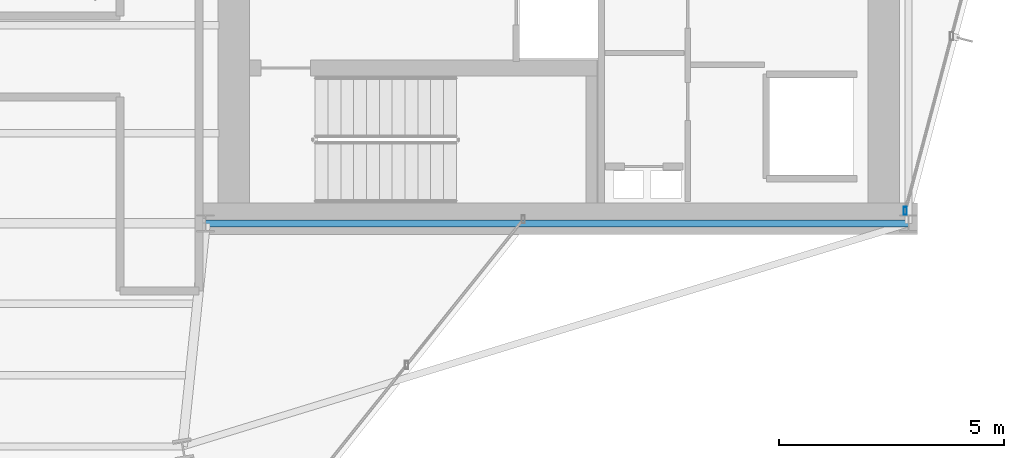
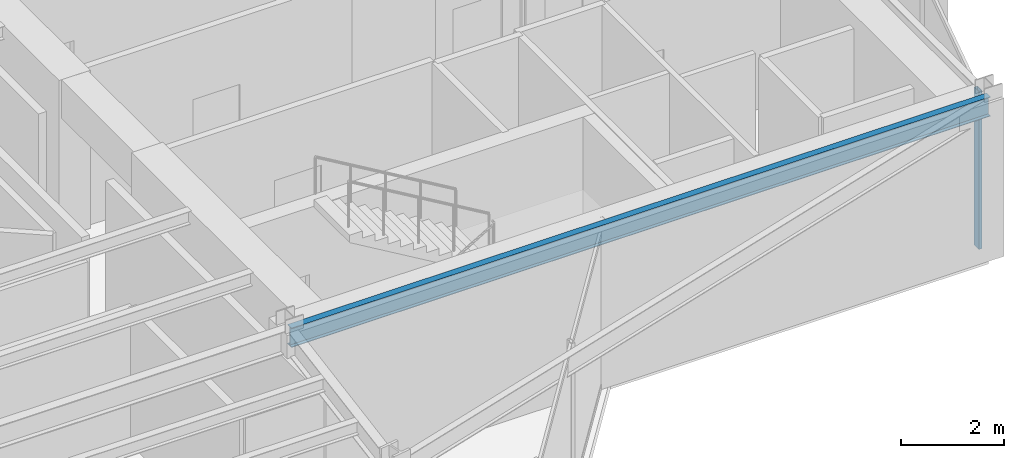
# One storey, part 14 of 23: 1 beam, 1 member, 1 element without a shape of its own.
"""IFC4 building model written with IfcOpenShell, lengths in metres."""

from ifc_helpers import new_model, si_unit, direction, frame, origin, origin_2d, place, context, subcontext, project, spatial, hollow_rectangle, i_section, extrude, material, layer, layer_set, material_profile, profile_set, type_object, element, aggregate, save


model = new_model("IFC4")

# Units and contexts
model_context = context("Model", 3, precision=1e-05, world=origin(), true_north=direction((0.0, 1.0)))
body_context = subcontext(model_context, "Body", "Model", "MODEL_VIEW")
ifc_project = project(units=[si_unit("LENGTHUNIT", "METRE"), si_unit("AREAUNIT", "SQUARE_METRE"), si_unit("VOLUMEUNIT", "CUBIC_METRE"), si_unit("PLANEANGLEUNIT", "RADIAN"), si_unit("MASSUNIT", "GRAM", prefix="KILO")], contexts=[model_context])

# Site, building, storey
site_placement = place(None, origin())
site = spatial("IfcSite", under=ifc_project, at=site_placement, CompositionType="ELEMENT")
building_placement = place(site_placement, origin())
building = spatial("IfcBuilding", under=site, at=building_placement, Name="Veymaron Broadcast Tower", CompositionType="ELEMENT")
storey_placement = place(building_placement, frame((0.0, 0.0, 252.60009765625)))
storey = spatial("IfcBuildingStorey", under=building, at=storey_placement, Name="L59", CompositionType="ELEMENT", Elevation=252.60009765625)

# Beam
ifc_material_1 = material(Name="Structural steel ASTM A992 Gr 50", Category="steel")
ifc_material_profile_1 = material_profile(ifc_material_1, i_section(OverallWidth=0.154052734375, OverallDepth=0.458984375, WebThickness=0.009033203125, FlangeThickness=0.015380859375, at=origin_2d()), Name="W460X68")
ifc_profile_set_1 = profile_set([ifc_material_profile_1], Name="Structural steel ASTM A992 Gr 50")
beam_type = type_object("IfcBeamType", Name="BM-SP2", PredefinedType="SPANDREL", material=ifc_profile_set_1)
beam_placement = place(storey_placement, frame((39.0, 16.0, 3.50048828125), z_axis=(1.0, 0.0, 0.0), x_axis=(0.0, 1.0, 0.0)))
element("IfcBeam", 1, at=beam_placement, inside=storey, type_object=beam_type, Name="L59 primary structural floor girder", PredefinedType="SPANDREL", context=body_context, shape_type="SweptSolid", body=[
    extrude(i_section(OverallWidth=0.154052734375, OverallDepth=0.458984375, WebThickness=0.009033203125, FlangeThickness=0.015380859375, at=origin_2d()), origin(), (0.0, 0.0, 1.0), 15.60009765625),
])

# Curtain wall, member
ifc_material_2 = material(Name="Anodised aluminium AA 6063-T6 and laminated low-E dark glass", Category="aluminium")
ifc_layer = layer(ifc_material_2, 0.179931640625)
ifc_layer_set = layer_set([ifc_layer], Name="Anodised aluminium AA 6063-T6 and laminated low-E dark glass")
curtain_wall_type = type_object("IfcCurtainWallType", Name="CW-SYS-05", PredefinedType="NOTDEFINED", material=ifc_layer_set)
curtain_wall_placement = place(storey_placement, origin())
curtain_wall = element("IfcCurtainWall", 2, at=curtain_wall_placement, inside=storey, type_object=curtain_wall_type, Name="L59 dark-glass curtain wall CW-L59-E2-1", PredefinedType="NOTDEFINED")
ifc_material_3 = material(Name="Anodised aluminium AA 6063-T6", Category="aluminium")
ifc_material_profile_2 = material_profile(ifc_material_3, hollow_rectangle(XDim=0.074951171875, YDim=0.179931640625, WallThickness=0.0048828125, at=origin_2d()), Name="AL180X75X5")
ifc_profile_set_2 = profile_set([ifc_material_profile_2], Name="Anodised aluminium AA 6063-T6")
member_type = type_object("IfcMemberType", Name="CW-MUL-02", PredefinedType="MULLION", material=ifc_profile_set_2)
member_placement = place(storey_placement, frame((54.52880859375, 16.27734375, 0.0), z_axis=(0.0, 0.0, 1.0), x_axis=(1.0, 0.0, 0.0)))
member = element("IfcMember", 3, at=member_placement, type_object=member_type, Name="CW-L59-E2-1 mullion 0", PredefinedType="MULLION", context=body_context, shape_type="SweptSolid", body=[
    extrude(hollow_rectangle(XDim=0.074951171875, YDim=0.179931640625, WallThickness=0.0048828125, at=origin_2d()), origin(), (0.0, 0.0, 1.0), 3.72998046875),
])
aggregate(curtain_wall, [member])

save(model, "model.ifc")
